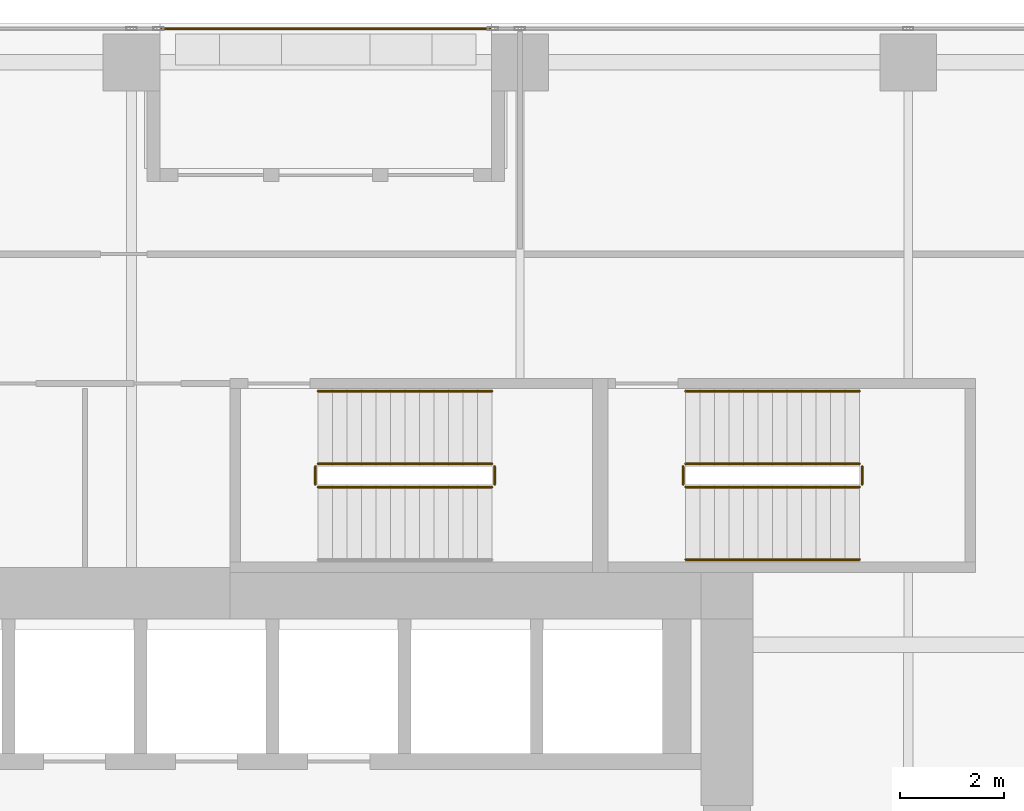
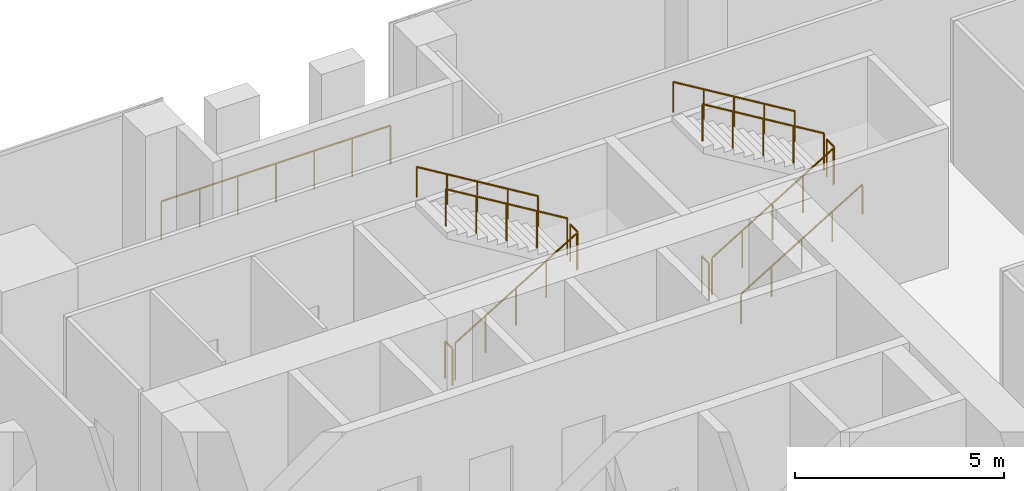
# One storey, part 33 of 34: 12 railings.
"""IFC4 building model written with IfcOpenShell, lengths in metres."""

from ifc_helpers import new_model, si_unit, direction, frame, origin, origin_2d, place, context, subcontext, project, spatial, circle, extrude, source, transform, mapped, material, type_object, element, save


model = new_model("IFC4")

# Units and contexts
model_context = context("Model", 3, precision=1e-05, world=origin(), true_north=direction((0.0, 1.0)))
body_context = subcontext(model_context, "Body", "Model", "MODEL_VIEW")
ifc_project = project(units=[si_unit("LENGTHUNIT", "METRE"), si_unit("AREAUNIT", "SQUARE_METRE"), si_unit("VOLUMEUNIT", "CUBIC_METRE"), si_unit("PLANEANGLEUNIT", "RADIAN"), si_unit("MASSUNIT", "GRAM", prefix="KILO")], contexts=[model_context])

# Site, building, storey
site_placement = place(None, origin())
site = spatial("IfcSite", under=ifc_project, at=site_placement, CompositionType="ELEMENT")
building_placement = place(site_placement, origin())
building = spatial("IfcBuilding", under=site, at=building_placement, Name="Khomas Fold Tower", CompositionType="ELEMENT")
storey_placement = place(building_placement, frame((0.0, 0.0, 145.5)))
storey = spatial("IfcBuildingStorey", under=building, at=storey_placement, Name="L31", CompositionType="ELEMENT", Elevation=145.5)

# Railings
ifc_material_1 = material(Name="Powder-coated steel", Category="steel")
railing_type_1 = type_object("IfcRailingType", Name="Balcony guard", PredefinedType="GUARDRAIL", material=ifc_material_1)
shared_shape_1 = source(origin(), body_context, "Body", "SweptSolid", [
    extrude(circle(Radius=0.02490234375, at=origin_2d()), frame((0.0, 0.0, 1.125), z_axis=(1.0, 0.0, 0.0), x_axis=(0.0, 1.0, 0.0)), (0.0, 0.0, 1.0), 6.33984375),
    extrude(circle(Radius=0.02001953125, at=origin_2d()), origin(), (0.0, 0.0, 1.0), 1.099853515625),
    extrude(circle(Radius=0.02001953125, at=origin_2d()), frame((1.056640625, 0.0, 0.0)), (0.0, 0.0, 1.0), 1.099853515625),
    extrude(circle(Radius=0.02001953125, at=origin_2d()), frame((2.11328125, 0.0, 0.0)), (0.0, 0.0, 1.0), 1.099853515625),
    extrude(circle(Radius=0.02001953125, at=origin_2d()), frame((3.169921875, 0.0, 0.0)), (0.0, 0.0, 1.0), 1.099853515625),
    extrude(circle(Radius=0.02001953125, at=origin_2d()), frame((4.2265625, 0.0, 0.0)), (0.0, 0.0, 1.0), 1.099853515625),
    extrude(circle(Radius=0.02001953125, at=origin_2d()), frame((5.283203125, 0.0, 0.0)), (0.0, 0.0, 1.0), 1.099853515625),
    extrude(circle(Radius=0.02001953125, at=origin_2d()), frame((6.33984375, 0.0, 0.0)), (0.0, 0.0, 1.0), 1.099853515625),
])
railing_1_placement = place(storey_placement, frame((12.580078125, 52.39990234375, -0.044921875)))
element("IfcRailing", 1, at=railing_1_placement, inside=storey, type_object=railing_type_1, Name="Balcony guard BAL-L31-N1", PredefinedType="GUARDRAIL", context=body_context, shape_type="MappedRepresentation", body=[
    mapped(shared_shape_1, transform((0.0, 0.0, 0.0))),
])
ifc_material_2 = material(Name="Steel balustrade", Category="steel")
railing_type_2 = type_object("IfcRailingType", Name="Stair guard", PredefinedType="GUARDRAIL", material=ifc_material_2)
shared_shape_2 = source(origin(), body_context, "Body", "SweptSolid", [
    extrude(circle(Radius=0.02392578125, at=origin_2d()), frame((0.0, 0.0, 1.076171875), z_axis=(0.0, 1.0, 0.0), x_axis=(-1.0, 0.0, 0.0)), (0.0, 0.0, 1.0), 0.349853515625),
    extrude(circle(Radius=0.02099609375, at=origin_2d()), origin(), (0.0, 0.0, 1.0), 1.052001953125),
    extrude(circle(Radius=0.02099609375, at=origin_2d()), frame((0.0, 0.349853515625, 0.0)), (0.0, 0.0, 1.0), 1.052001953125),
])
for number, where, name in (
    (2, (19.010009765625, 43.60009765625, 2.199951171875), "L31 ST1 stair guard 2"),
    (3, (15.550048828125, 43.60009765625, 0.0), "L31 ST1 stair guard 4"),
    (4, (26.110107421875, 43.60009765625, 2.199951171875), "L31 ST3 stair guard 2"),
    (5, (22.64990234375, 43.60009765625, 0.0), "L31 ST3 stair guard 4"),
):
    element("IfcRailing", number, at=place(storey_placement, frame(where)), inside=storey, type_object=railing_type_2, Name=name, PredefinedType="GUARDRAIL", context=body_context, shape_type="MappedRepresentation", body=[
        mapped(shared_shape_2, transform((0.0, 0.0, 0.0))),
    ])
shared_shape_3 = source(origin(), body_context, "Body", "SweptSolid", [
    extrude(circle(Radius=0.02392578125, at=origin_2d()), frame((0.0, 0.0, 1.076171875), z_axis=(0.855820338506, 0.0, 0.51727318527), x_axis=(0.0, 1.0, 0.0)), (0.0, 0.0, 1.0), 3.92578125),
    extrude(circle(Radius=0.02099609375, at=origin_2d()), origin(), (0.0, 0.0, 1.0), 1.052001953125),
    extrude(circle(Radius=0.02099609375, at=origin_2d()), frame((0.83984375, 0.0, 0.5078125)), (0.0, 0.0, 1.0), 1.052001953125),
    extrude(circle(Radius=0.02099609375, at=origin_2d()), frame((1.679931640625, 0.0, 1.015380859375)), (0.0, 0.0, 1.0), 1.052001953125),
    extrude(circle(Radius=0.02099609375, at=origin_2d()), frame((2.52001953125, 0.0, 1.52294921875)), (0.0, 0.0, 1.0), 1.052001953125),
    extrude(circle(Radius=0.02099609375, at=origin_2d()), frame((3.35986328125, 0.0, 2.03076171875)), (0.0, 0.0, 1.0), 1.052001953125),
])
railing_2_placement = place(storey_placement, frame((15.60009765625, 43.550048828125, 0.169189453125)))
element("IfcRailing", 6, at=railing_2_placement, inside=storey, type_object=railing_type_2, Name="L31 ST1 stair guard 1", PredefinedType="GUARDRAIL", context=body_context, shape_type="MappedRepresentation", body=[
    mapped(shared_shape_3, transform((0.0, 0.0, 0.0))),
])
shared_shape_4 = source(origin(), body_context, "Body", "SweptSolid", [
    extrude(circle(Radius=0.02392578125, at=origin_2d()), frame((0.0, 0.0, 1.076171875), z_axis=(-0.855820338506, 0.0, 0.51727318527), x_axis=(0.0, -1.0, 0.0)), (0.0, 0.0, 1.0), 3.92578125),
    extrude(circle(Radius=0.02099609375, at=origin_2d()), origin(), (0.0, 0.0, 1.0), 1.052001953125),
    extrude(circle(Radius=0.02099609375, at=origin_2d()), frame((-0.83984375, 0.0, 0.5078125)), (0.0, 0.0, 1.0), 1.052001953125),
    extrude(circle(Radius=0.02099609375, at=origin_2d()), frame((-1.679931640625, 0.0, 1.015380859375)), (0.0, 0.0, 1.0), 1.052001953125),
    extrude(circle(Radius=0.02099609375, at=origin_2d()), frame((-2.52001953125, 0.0, 1.52294921875)), (0.0, 0.0, 1.0), 1.052001953125),
    extrude(circle(Radius=0.02099609375, at=origin_2d()), frame((-3.35986328125, 0.0, 2.03076171875)), (0.0, 0.0, 1.0), 1.052001953125),
])
railing_3_placement = place(storey_placement, frame((18.9599609375, 44.0, 2.369140625)))
element("IfcRailing", 7, at=railing_3_placement, inside=storey, type_object=railing_type_2, Name="L31 ST1 stair guard 3", PredefinedType="GUARDRAIL", context=body_context, shape_type="MappedRepresentation", body=[
    mapped(shared_shape_4, transform((0.0, 0.0, 0.0))),
])
ifc_material_3 = material(Name="Steel handrail", Category="steel")
railing_type_3 = type_object("IfcRailingType", Name="Stair handrail", PredefinedType="HANDRAIL", material=ifc_material_3)
shared_shape_5 = source(origin(), body_context, "Body", "SweptSolid", [
    extrude(circle(Radius=0.02392578125, at=origin_2d()), frame((0.0, 0.0, 0.8759765625), z_axis=(-0.855820338506, 0.0, 0.51727318527), x_axis=(0.0, -1.0, 0.0)), (0.0, 0.0, 1.0), 3.92578125),
    extrude(circle(Radius=0.02099609375, at=origin_2d()), origin(), (0.0, 0.0, 1.0), 0.851806640625),
    extrude(circle(Radius=0.02099609375, at=origin_2d()), frame((-0.83984375, 0.0, 0.5078125)), (0.0, 0.0, 1.0), 0.851806640625),
    extrude(circle(Radius=0.02099609375, at=origin_2d()), frame((-1.679931640625, 0.0, 1.015380859375)), (0.0, 0.0, 1.0), 0.851806640625),
    extrude(circle(Radius=0.02099609375, at=origin_2d()), frame((-2.52001953125, 0.0, 1.52294921875)), (0.0, 0.0, 1.0), 0.851806640625),
    extrude(circle(Radius=0.02099609375, at=origin_2d()), frame((-3.35986328125, 0.0, 2.03076171875)), (0.0, 0.0, 1.0), 0.851806640625),
])
railing_4_placement = place(storey_placement, frame((18.9599609375, 45.39990234375, 2.369140625)))
element("IfcRailing", 8, at=railing_4_placement, inside=storey, type_object=railing_type_3, Name="L31 ST1 stair handrail 2", PredefinedType="HANDRAIL", context=body_context, shape_type="MappedRepresentation", body=[
    mapped(shared_shape_5, transform((0.0, 0.0, 0.0))),
])
shared_shape_6 = source(origin(), body_context, "Body", "SweptSolid", [
    extrude(circle(Radius=0.02392578125, at=origin_2d()), frame((0.0, 0.0, 1.076171875), z_axis=(0.855836976705, 0.0, 0.517245656632), x_axis=(0.0, 1.0, 0.0)), (0.0, 0.0, 1.0), 3.926025390625),
    extrude(circle(Radius=0.02099609375, at=origin_2d()), origin(), (0.0, 0.0, 1.0), 1.052001953125),
    extrude(circle(Radius=0.02099609375, at=origin_2d()), frame((0.840087890625, 0.0, 0.5078125)), (0.0, 0.0, 1.0), 1.052001953125),
    extrude(circle(Radius=0.02099609375, at=origin_2d()), frame((1.68017578125, 0.0, 1.015380859375)), (0.0, 0.0, 1.0), 1.052001953125),
    extrude(circle(Radius=0.02099609375, at=origin_2d()), frame((2.52001953125, 0.0, 1.52294921875)), (0.0, 0.0, 1.0), 1.052001953125),
    extrude(circle(Radius=0.02099609375, at=origin_2d()), frame((3.360107421875, 0.0, 2.03076171875)), (0.0, 0.0, 1.0), 1.052001953125),
])
railing_5_placement = place(storey_placement, frame((22.699951171875, 43.550048828125, 0.169189453125)))
element("IfcRailing", 9, at=railing_5_placement, inside=storey, type_object=railing_type_2, Name="L31 ST3 stair guard 1", PredefinedType="GUARDRAIL", context=body_context, shape_type="MappedRepresentation", body=[
    mapped(shared_shape_6, transform((0.0, 0.0, 0.0))),
])
shared_shape_7 = source(origin(), body_context, "Body", "SweptSolid", [
    extrude(circle(Radius=0.02392578125, at=origin_2d()), frame((0.0, 0.0, 1.076171875), z_axis=(-0.855836976705, 0.0, 0.517245656632), x_axis=(0.0, -1.0, 0.0)), (0.0, 0.0, 1.0), 3.926025390625),
    extrude(circle(Radius=0.02099609375, at=origin_2d()), origin(), (0.0, 0.0, 1.0), 1.052001953125),
    extrude(circle(Radius=0.02099609375, at=origin_2d()), frame((-0.840087890625, 0.0, 0.5078125)), (0.0, 0.0, 1.0), 1.052001953125),
    extrude(circle(Radius=0.02099609375, at=origin_2d()), frame((-1.68017578125, 0.0, 1.015380859375)), (0.0, 0.0, 1.0), 1.052001953125),
    extrude(circle(Radius=0.02099609375, at=origin_2d()), frame((-2.52001953125, 0.0, 1.52294921875)), (0.0, 0.0, 1.0), 1.052001953125),
    extrude(circle(Radius=0.02099609375, at=origin_2d()), frame((-3.360107421875, 0.0, 2.03076171875)), (0.0, 0.0, 1.0), 1.052001953125),
])
railing_6_placement = place(storey_placement, frame((26.06005859375, 44.0, 2.369140625)))
element("IfcRailing", 10, at=railing_6_placement, inside=storey, type_object=railing_type_2, Name="L31 ST3 stair guard 3", PredefinedType="GUARDRAIL", context=body_context, shape_type="MappedRepresentation", body=[
    mapped(shared_shape_7, transform((0.0, 0.0, 0.0))),
])
shared_shape_8 = source(origin(), body_context, "Body", "SweptSolid", [
    extrude(circle(Radius=0.02392578125, at=origin_2d()), frame((0.0, 0.0, 0.8759765625), z_axis=(0.855836976705, 0.0, 0.517245656632), x_axis=(0.0, 1.0, 0.0)), (0.0, 0.0, 1.0), 3.926025390625),
    extrude(circle(Radius=0.02099609375, at=origin_2d()), origin(), (0.0, 0.0, 1.0), 0.851806640625),
    extrude(circle(Radius=0.02099609375, at=origin_2d()), frame((0.840087890625, 0.0, 0.5078125)), (0.0, 0.0, 1.0), 0.851806640625),
    extrude(circle(Radius=0.02099609375, at=origin_2d()), frame((1.68017578125, 0.0, 1.015380859375)), (0.0, 0.0, 1.0), 0.851806640625),
    extrude(circle(Radius=0.02099609375, at=origin_2d()), frame((2.52001953125, 0.0, 1.52294921875)), (0.0, 0.0, 1.0), 0.851806640625),
    extrude(circle(Radius=0.02099609375, at=origin_2d()), frame((3.360107421875, 0.0, 2.03076171875)), (0.0, 0.0, 1.0), 0.851806640625),
])
railing_7_placement = place(storey_placement, frame((22.699951171875, 42.14990234375, 0.169189453125)))
element("IfcRailing", 11, at=railing_7_placement, inside=storey, type_object=railing_type_3, Name="L31 ST3 stair handrail 1", PredefinedType="HANDRAIL", context=body_context, shape_type="MappedRepresentation", body=[
    mapped(shared_shape_8, transform((0.0, 0.0, 0.0))),
])
shared_shape_9 = source(origin(), body_context, "Body", "SweptSolid", [
    extrude(circle(Radius=0.02392578125, at=origin_2d()), frame((0.0, 0.0, 0.8759765625), z_axis=(-0.855836976705, 0.0, 0.517245656632), x_axis=(0.0, -1.0, 0.0)), (0.0, 0.0, 1.0), 3.926025390625),
    extrude(circle(Radius=0.02099609375, at=origin_2d()), origin(), (0.0, 0.0, 1.0), 0.851806640625),
    extrude(circle(Radius=0.02099609375, at=origin_2d()), frame((-0.840087890625, 0.0, 0.5078125)), (0.0, 0.0, 1.0), 0.851806640625),
    extrude(circle(Radius=0.02099609375, at=origin_2d()), frame((-1.68017578125, 0.0, 1.015380859375)), (0.0, 0.0, 1.0), 0.851806640625),
    extrude(circle(Radius=0.02099609375, at=origin_2d()), frame((-2.52001953125, 0.0, 1.52294921875)), (0.0, 0.0, 1.0), 0.851806640625),
    extrude(circle(Radius=0.02099609375, at=origin_2d()), frame((-3.360107421875, 0.0, 2.03076171875)), (0.0, 0.0, 1.0), 0.851806640625),
])
railing_8_placement = place(storey_placement, frame((26.06005859375, 45.39990234375, 2.369140625)))
element("IfcRailing", 12, at=railing_8_placement, inside=storey, type_object=railing_type_3, Name="L31 ST3 stair handrail 2", PredefinedType="HANDRAIL", context=body_context, shape_type="MappedRepresentation", body=[
    mapped(shared_shape_9, transform((0.0, 0.0, 0.0))),
])

save(model, "model.ifc")
